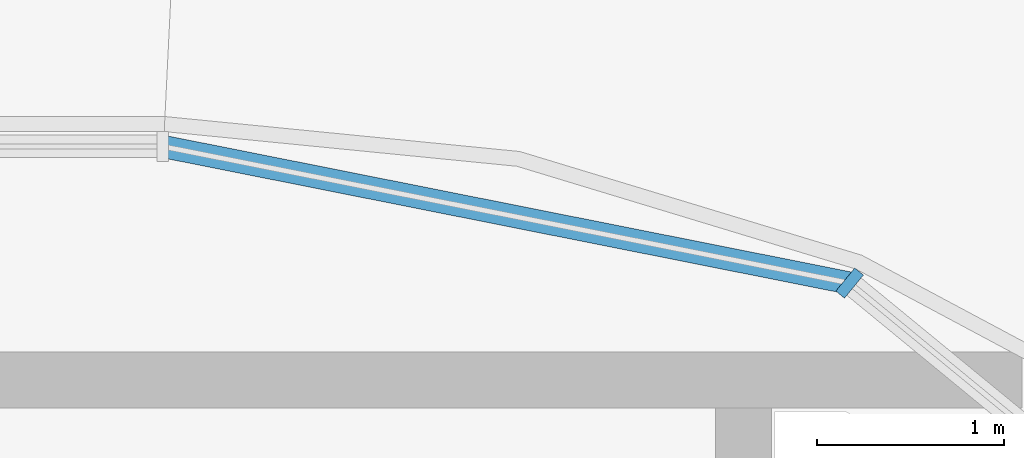
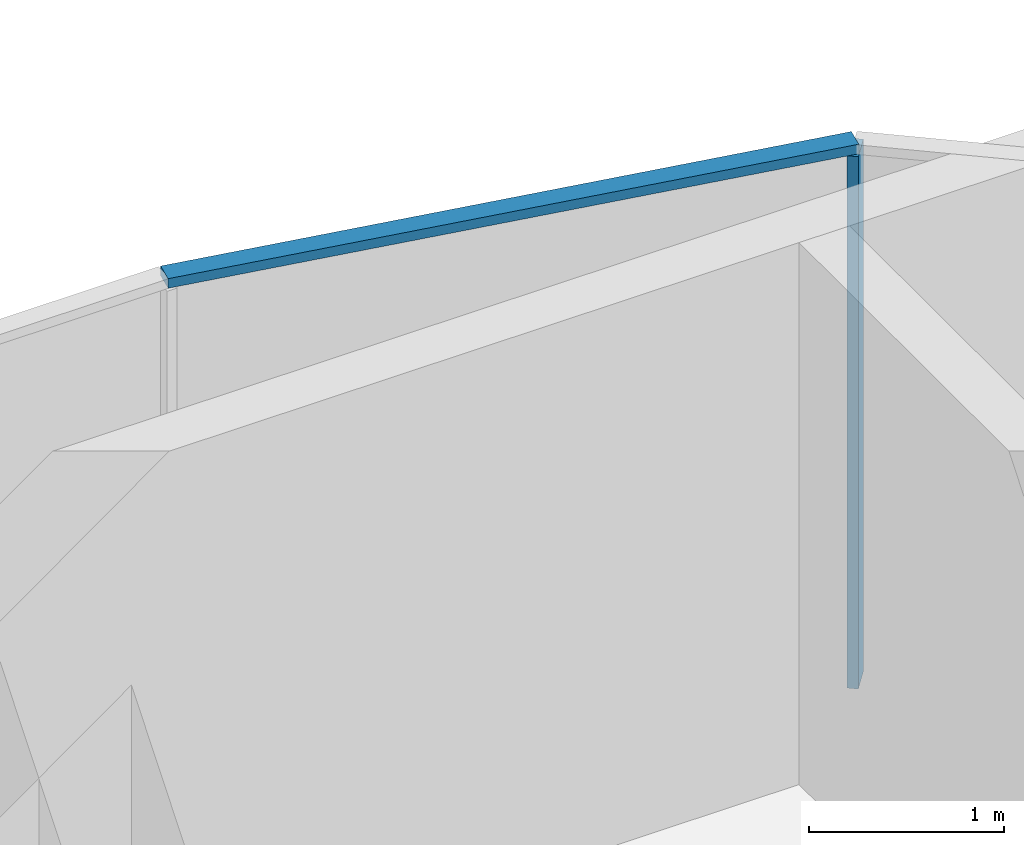
# One storey, part 5 of 36: 2 members, 1 element without a shape of its own.
"""IFC4 building model written with IfcOpenShell, lengths in metres."""

import ifcopenshell
import ifcopenshell.guid

model = None  # the IFC model being written
_history = None  # IfcOwnerHistory: only IFC2X3 demands one
_inside = {}  # id of a spatial element -> (the spatial element, [elements in it])
_under = {}  # id of a project, library or spatial element -> (it, [spatial elements below it])
_declared = {}  # id of a project -> (the project, [libraries it declares])
_typed = {}  # id of a type object -> (the type object, [elements of that type])
_made_of = {}  # id of a material, layer set ... -> (it, [elements and type objects made of it])


def new_model(schema):
    """Start an empty IFC model of exactly this schema.

    Asked for "IFC4X3", IfcOpenShell would pick the latest addendum, in which some entities
    have other attributes; the version numbers below select the first issue.
    IFC2X3 requires an IfcOwnerHistory on every rooted entity: one is made here for all.
    """
    global model, _history
    if schema == "IFC4X3":
        model = ifcopenshell.file(schema_version=(4, 3, 0, 0))
    else:
        model = ifcopenshell.file(schema=schema)
    _inside.clear()
    _under.clear()
    _declared.clear()
    _typed.clear()
    _made_of.clear()
    _history = None
    if model.schema == "IFC2X3":
        org = make("IfcOrganization", Name="unknown")
        user = make(
            "IfcPersonAndOrganization",
            ThePerson=make("IfcPerson", FamilyName="unknown"),
            TheOrganization=org,
        )
        app = make(
            "IfcApplication",
            ApplicationDeveloper=org,
            Version="unknown",
            ApplicationFullName="unknown",
            ApplicationIdentifier="unknown",
        )
        _history = make(
            "IfcOwnerHistory",
            OwningUser=user,
            OwningApplication=app,
            ChangeAction="ADDED",
            CreationDate=0,
        )
    return model


def make(cls, **values):
    """One entity of the class cls with the attributes given. An attribute that is None is left unset."""
    return model.create_entity(
        cls, **{name: value for name, value in values.items() if value is not None}
    )


def rooted(cls, **values):
    """An entity with a GlobalId (a new one), such as an element, a storey or a relation."""
    return make(cls, GlobalId=ifcopenshell.guid.new(), OwnerHistory=_history, **values)


def si_unit(unit_type, name, prefix=None):
    """IfcSIUnit, for example si_unit("LENGTHUNIT", "METRE", prefix="MILLI")."""
    return make("IfcSIUnit", UnitType=unit_type, Prefix=prefix, Name=name)


def assignment(units):
    """IfcUnitAssignment: the units of a project."""
    return None if units is None else make("IfcUnitAssignment", Units=units)


def point(xyz):
    """IfcCartesianPoint."""
    return None if xyz is None else make("IfcCartesianPoint", Coordinates=xyz)


def direction(xyz):
    """IfcDirection."""
    return None if xyz is None else make("IfcDirection", DirectionRatios=xyz)


def frame(location, z_axis=None, x_axis=None):
    """IfcAxis2Placement3D, a coordinate frame: its origin and axes. An axis left out is left unset."""
    return make(
        "IfcAxis2Placement3D",
        Location=point(location),
        Axis=direction(z_axis),
        RefDirection=direction(x_axis),
    )


def frame_2d(location, x_axis=None):
    """IfcAxis2Placement2D, a coordinate frame in the plane: its origin and x axis."""
    return make(
        "IfcAxis2Placement2D", Location=point(location), RefDirection=direction(x_axis)
    )


def origin():
    """The frame at (0, 0, 0) with its axes left unset."""
    return frame((0.0, 0.0, 0.0))


def origin_2d():
    """The frame at (0, 0) in the plane with its x axis left unset."""
    return frame_2d((0.0, 0.0))


def place(relative_to, where):
    """IfcLocalPlacement: puts the frame where relative to a parent placement (None: the world)."""
    return make(
        "IfcLocalPlacement", PlacementRelTo=relative_to, RelativePlacement=where
    )


def context(
    kind, dimensions, precision=None, world=None, true_north=None, identifier=None
):
    """IfcGeometricRepresentationContext, for example the 3D "Model" context."""
    return make(
        "IfcGeometricRepresentationContext",
        ContextIdentifier=identifier,
        ContextType=kind,
        CoordinateSpaceDimension=dimensions,
        Precision=precision,
        WorldCoordinateSystem=world,
        TrueNorth=true_north,
    )


def subcontext(parent, identifier, kind, view, scale=None):
    """IfcGeometricRepresentationSubContext, for example "Body" below "Model"."""
    return make(
        "IfcGeometricRepresentationSubContext",
        ContextIdentifier=identifier,
        ContextType=kind,
        ParentContext=parent,
        TargetScale=scale,
        TargetView=view,
    )


def project(units=None, contexts=None):
    """IfcProject with its units and contexts."""
    return rooted(
        "IfcProject",
        Name="project",
        RepresentationContexts=contexts,
        UnitsInContext=assignment(units),
    )


def spatial(cls, under=None, at=None, **own):
    """A site, building, storey or space (cls), placed at a placement, below another one or the project."""
    s = rooted(cls, ObjectPlacement=at, **own)
    if under is not None:
        _under.setdefault(under.id(), (under, []))[1].append(s)
    return s


def profile(cls, at=None, kind="AREA", **sizes):
    """A parametric profile (cls). Its sizes go by their IFC names, for example OverallWidth=200.0."""
    return make(cls, ProfileType=kind, Position=at, **sizes)


def rectangle(**sizes):
    """IfcRectangleProfileDef."""
    return profile("IfcRectangleProfileDef", **sizes)


def extrude(swept, where, along, depth):
    """IfcExtrudedAreaSolid: the profile swept, set in the frame where, extruded along a direction by depth."""
    return make(
        "IfcExtrudedAreaSolid",
        SweptArea=swept,
        Position=where,
        ExtrudedDirection=direction(along),
        Depth=depth,
    )


def shape(context_of_items, identifier, shape_type, items):
    """IfcShapeRepresentation: the items that make up one representation, for example the "Body"."""
    return make(
        "IfcShapeRepresentation",
        ContextOfItems=context_of_items,
        RepresentationIdentifier=identifier,
        RepresentationType=shape_type,
        Items=items,
    )


def material(Name=None, Category=None):
    """IfcMaterial."""
    return make("IfcMaterial", Name=Name, Category=Category)


def material_profile(
    of_material, cross_section, Name=None, Category=None, Priority=None
):
    """IfcMaterialProfile: a cross section and its material."""
    return make(
        "IfcMaterialProfile",
        Name=Name,
        Material=of_material,
        Profile=cross_section,
        Priority=Priority,
        Category=Category,
    )


def profile_set(profiles, Name=None, composite=None):
    """IfcMaterialProfileSet."""
    return make(
        "IfcMaterialProfileSet",
        Name=Name,
        MaterialProfiles=profiles,
        CompositeProfile=composite,
    )


def made_of(thing, what):
    """Note that an element or type object is made of a material, layer set ...; save() writes the relation."""
    if what is not None:
        _made_of.setdefault(what.id(), (what, []))[1].append(thing)
    return thing


def type_object(cls, material=None, **own):
    """A type object (cls), such as IfcWallType, which elements share."""
    return made_of(rooted(cls, **own), material)


def element(
    cls,
    number,
    at=None,
    inside=None,
    cuts=None,
    type_object=None,
    material=None,
    context=None,
    identifier="Body",
    shape_type=None,
    held_by="IfcProductDefinitionShape",
    body=None,
    shapes=None,
    **own,
):
    """One element of the class cls, such as IfcWall. Its Tag is "e" and its number.

    at: its placement. inside: the storey or other place that contains it. cuts: it is an
    opening in that element (IfcRelVoidsElement). A single representation is given by context,
    identifier, shape_type and body (its items); several are given by shapes. held_by: the class
    of the entity that holds the representations. save() writes the other relations.
    """
    e = rooted(cls, Tag="e%d" % number, ObjectPlacement=at, **own)
    if body is not None:
        shapes = [shape(context, identifier, shape_type, body)]
    if shapes is not None:
        e.Representation = make(held_by, Representations=shapes)
    if inside is not None:
        _inside.setdefault(inside.id(), (inside, []))[1].append(e)
    if cuts is not None:
        rooted(
            "IfcRelVoidsElement", RelatingBuildingElement=cuts, RelatedOpeningElement=e
        )
    if type_object is not None:
        _typed.setdefault(type_object.id(), (type_object, []))[1].append(e)
    return made_of(e, material)


def aggregate(whole, parts):
    """IfcRelAggregates: a whole, such as a stair, and the parts it consists of."""
    return rooted("IfcRelAggregates", RelatingObject=whole, RelatedObjects=parts)


def save(model, path):
    """Write the relations noted so far, then the file.

    IfcRelAggregates (storeys below a building ...), IfcRelContainedInSpatialStructure (elements
    in a storey), IfcRelDefinesByType, IfcRelAssociatesMaterial and IfcRelDeclares: one each for
    every whole, place, type object, material and project.
    """
    for whole, parts in _under.values():
        aggregate(whole, parts)
    for where, things in _inside.values():
        rooted(
            "IfcRelContainedInSpatialStructure",
            RelatedElements=things,
            RelatingStructure=where,
        )
    for kind, things in _typed.values():
        rooted("IfcRelDefinesByType", RelatedObjects=things, RelatingType=kind)
    for what, things in _made_of.values():
        rooted("IfcRelAssociatesMaterial", RelatedObjects=things, RelatingMaterial=what)
    for by, libraries in _declared.values():
        rooted("IfcRelDeclares", RelatingContext=by, RelatedDefinitions=libraries)
    model.write(path)


model = new_model("IFC4")

# Units and contexts
model_context = context("Model", 3, precision=1e-05, world=origin(), true_north=direction((0.0, 1.0)))
body_context = subcontext(model_context, "Body", "Model", "MODEL_VIEW")
ifc_project = project(units=[si_unit("LENGTHUNIT", "METRE"), si_unit("AREAUNIT", "SQUARE_METRE"), si_unit("VOLUMEUNIT", "CUBIC_METRE"), si_unit("PLANEANGLEUNIT", "RADIAN"), si_unit("MASSUNIT", "GRAM", prefix="KILO")], contexts=[model_context])

# Site, building, storey
site_placement = place(None, origin())
site = spatial("IfcSite", under=ifc_project, at=site_placement, CompositionType="ELEMENT")
building_placement = place(site_placement, origin())
building = spatial("IfcBuilding", under=site, at=building_placement, Name="Ogive Portal Towers", CompositionType="ELEMENT")
storey_placement = place(building_placement, frame((0.0, 0.0, 63.10009765625)))
storey = spatial("IfcBuildingStorey", under=building, at=storey_placement, Name="L14", CompositionType="ELEMENT", Elevation=63.10009765625)

# Curtain wall, members
ifc_material_1 = material(Name="Glass, clear low-iron insulated glazing", Category="glass")
curtain_wall_type = type_object("IfcCurtainWallType", Name="CW FRONT RIBBON 4500", PredefinedType="NOTDEFINED", material=ifc_material_1)
curtain_wall_placement = place(storey_placement, origin())
curtain_wall = element("IfcCurtainWall", 1, at=curtain_wall_placement, inside=storey, type_object=curtain_wall_type, Name="A:L14:f13:cwa", PredefinedType="NOTDEFINED")
ifc_material_2 = material(Name="Aluminium 6063 anodised", Category="aluminium")
ifc_material_profile_1 = material_profile(ifc_material_2, rectangle(XDim=0.159912109375, YDim=0.06005859375, at=origin_2d()), Name="AL 60x160")
ifc_profile_set_1 = profile_set([ifc_material_profile_1], Name="Aluminium 6063 anodised")
member_type_1 = type_object("IfcMemberType", Name="CW MULLION 60x160", PredefinedType="MULLION", material=ifc_profile_set_1)
member_1_placement = place(storey_placement, frame((91.169189453125, 41.36865234375, 0.0), z_axis=(0.0, 0.0, 1.0), x_axis=(-0.634393284164, -0.773010453363, 0.0)))
member_1 = element("IfcMember", 2, at=member_1_placement, type_object=member_type_1, Name="mullion", PredefinedType="MULLION", context=body_context, shape_type="SweptSolid", body=[
    extrude(rectangle(XDim=0.159912109375, YDim=0.06005859375, at=origin_2d()), origin(), (0.0, 0.0, 1.0), 3.33984375),
])
ifc_material_profile_2 = material_profile(ifc_material_2, rectangle(XDim=0.1201171875, YDim=0.06005859375, at=origin_2d()), Name="AL 120x60")
ifc_profile_set_2 = profile_set([ifc_material_profile_2], Name="Aluminium 6063 anodised")
member_type_2 = type_object("IfcMemberType", Name="CW TRANSOM 60x120", PredefinedType="USERDEFINED", material=ifc_profile_set_2)
member_2_placement = place(storey_placement, frame((91.169189453125, 41.36865234375, 3.369873046875), z_axis=(-0.980783027079, 0.195101649899, 0.0), x_axis=(-0.195101649899, -0.980783027079, 0.0)))
member_2 = element("IfcMember", 3, at=member_2_placement, type_object=member_type_2, Name="transom", ObjectType="TRANSOM", PredefinedType="USERDEFINED", context=body_context, shape_type="SweptSolid", body=[
    extrude(rectangle(XDim=0.1201171875, YDim=0.06005859375, at=origin_2d()), origin(), (0.0, 0.0, 1.0), 3.7490234375),
])
aggregate(curtain_wall, [member_2, member_1])

save(model, "model.ifc")
